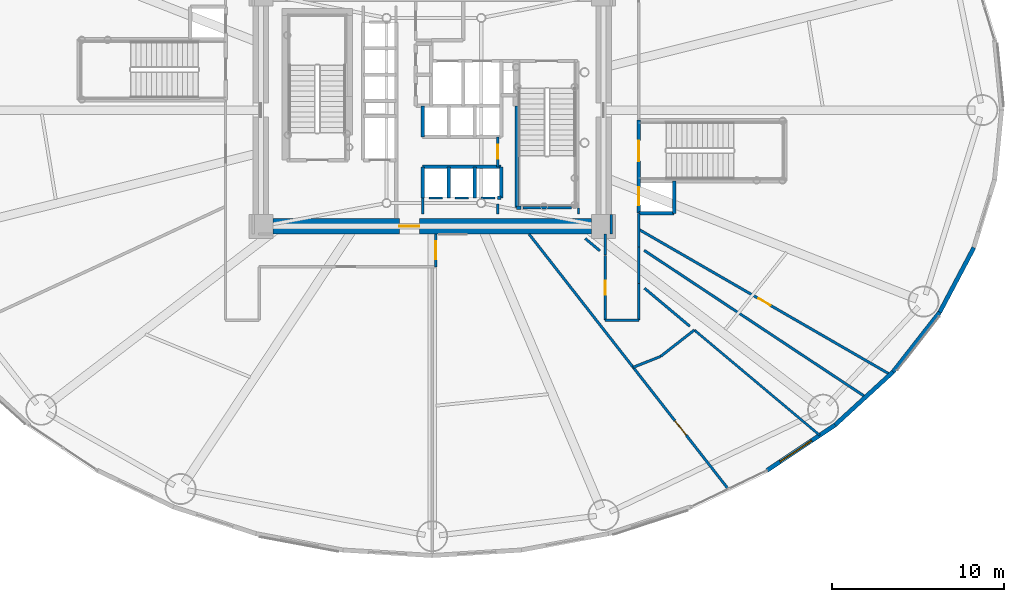
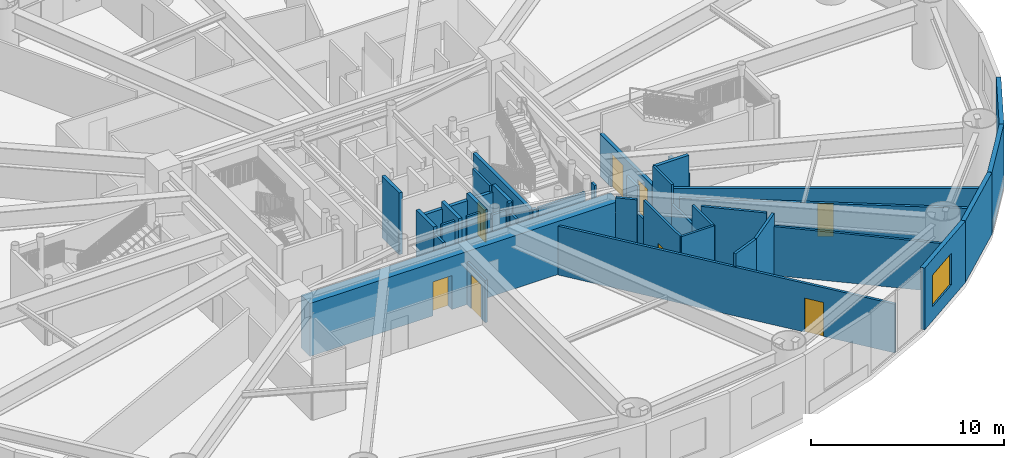
# One storey, part 14 of 27: 41 walls, 8 doors, 1 window, 9 openings.
"""IFC4 building model written with IfcOpenShell, lengths in metres."""

from ifc_helpers import new_model, si_unit, direction, frame, frame_2d, origin, origin_2d, place, context, subcontext, project, spatial, rectangle, extrude, source, transform, mapped, material, layer, layer_set, type_object, element, fill, save


model = new_model("IFC4")

# Units and contexts
model_context = context("Model", 3, precision=1e-05, world=origin(), true_north=direction((0.0, 1.0)))
body_context = subcontext(model_context, "Body", "Model", "MODEL_VIEW")
ifc_project = project(units=[si_unit("LENGTHUNIT", "METRE"), si_unit("AREAUNIT", "SQUARE_METRE"), si_unit("VOLUMEUNIT", "CUBIC_METRE"), si_unit("PLANEANGLEUNIT", "RADIAN"), si_unit("MASSUNIT", "GRAM", prefix="KILO")], contexts=[model_context])

# Site, building, storey
site_placement = place(None, origin())
site = spatial("IfcSite", under=ifc_project, at=site_placement, CompositionType="ELEMENT")
building_placement = place(site_placement, origin())
building = spatial("IfcBuilding", under=site, at=building_placement, Name="Linh Dai School and Residence Tower", CompositionType="ELEMENT")
storey_placement = place(building_placement, frame((0.0, 0.0, 22.800048828125)))
storey = spatial("IfcBuildingStorey", under=building, at=storey_placement, Name="L05", CompositionType="ELEMENT", Elevation=22.800048828125)

# Wall, opening, window
ifc_material_1 = material(Name="Precast Concrete B45 (C35/45)", Category="concrete")
ifc_layer_1 = layer(ifc_material_1, 0.25)
ifc_layer_set_1 = layer_set([ifc_layer_1], Name="Precast Concrete B45 (C35/45)")
wall_type_1 = type_object("IfcWallType", Name="EW-TC-250", PredefinedType="SOLIDWALL", material=ifc_layer_set_1)
wall_1_placement = place(storey_placement, frame((59.39892578125, 8.713623046875, 0.0), z_axis=(0.0, 0.0, 1.0), x_axis=(-0.831218664812, -0.555945618985, 0.0)))
wall_1 = element("IfcWall", 1, at=wall_1_placement, inside=storey, type_object=wall_type_1, Name="L05 Terracotta Exterior Wall 35", PredefinedType="SOLIDWALL", context=body_context, shape_type="SweptSolid", body=[
    extrude(rectangle(XDim=4.74755859375, YDim=0.25, at=frame_2d((2.373779296875, 0.0))), origin(), (0.0, 0.0, 1.0), 3.89990234375),
])
opening_1_placement = place(wall_1_placement, frame((1.635009765625, 0.0, 0.89990234375)))
opening_1 = element("IfcOpeningElement", 2, at=opening_1_placement, cuts=wall_1, Name="Opening W4", PredefinedType="OPENING", context=body_context, shape_type="SweptSolid", body=[
    extrude(rectangle(XDim=2.199951171875, YDim=2.0, at=origin_2d()), frame((1.10009765625, 0.135009765625, 1.0), z_axis=(0.0, -1.0, 0.0), x_axis=(1.0, 0.0, 0.0)), (0.0, 0.0, 1.0), 0.27001953125),
])
ifc_material_2 = material(Name="Acoustic Laminated Low-E Glazing", Category="glass")
window_type = type_object("IfcWindowType", Name="WN-SCH-2200x2000", PartitioningType="TRIPLE_PANEL_VERTICAL", PredefinedType="WINDOW", material=ifc_material_2)
shared_shape_1 = source(origin(), body_context, "Body", "SweptSolid", [
    extrude(rectangle(XDim=2.199951171875, YDim=2.0, at=origin_2d()), frame((1.10009765625, 0.030029296875, 1.0), z_axis=(0.0, -1.0, 0.0), x_axis=(1.0, 0.0, 0.0)), (0.0, 0.0, 1.0), 0.06005859375),
])
window_placement = place(opening_1_placement, origin())
window = element("IfcWindow", 3, at=window_placement, inside=storey, type_object=window_type, Name="L05 Exterior Window 35.1", OverallHeight=2.0, OverallWidth=2.199951171875, PartitioningType="TRIPLE_PANEL_VERTICAL", PredefinedType="WINDOW", context=body_context, shape_type="MappedRepresentation", body=[
    mapped(shared_shape_1, transform((0.0, 0.0, 0.0), x_axis=(1.0, 0.0, 0.0), y_axis=(0.0, 1.0, 0.0), z_axis=(0.0, 0.0, 1.0), scale=1.0)),
])
fill(opening_1, window)

# Walls
wall_2_placement = place(storey_placement, frame((62.767822265625, 11.802490234375, 0.0), z_axis=(0.0, 0.0, 1.0), x_axis=(-0.737076532105, -0.675809282136, 0.0)))
element("IfcWall", 4, at=wall_2_placement, inside=storey, type_object=wall_type_1, Name="L05 Terracotta Exterior Wall 36", PredefinedType="SOLIDWALL", context=body_context, shape_type="SweptSolid", body=[
    extrude(rectangle(XDim=4.570556640625, YDim=0.25, at=frame_2d((2.28515625, 0.0))), origin(), (0.0, 0.0, 1.0), 3.89990234375),
])
wall_3_placement = place(storey_placement, frame((65.4765625, 15.264404296875, 0.0), z_axis=(0.0, 0.0, 1.0), x_axis=(-0.61622589112, -0.787569457961, 0.0)))
element("IfcWall", 5, at=wall_3_placement, inside=storey, type_object=wall_type_1, Name="L05 Terracotta Exterior Wall 37", PredefinedType="SOLIDWALL", context=body_context, shape_type="SweptSolid", body=[
    extrude(rectangle(XDim=4.395751953125, YDim=0.25, at=frame_2d((2.19775390625, 0.0))), origin(), (0.0, 0.0, 1.0), 3.89990234375),
])
wall_4_placement = place(storey_placement, frame((67.459716796875, 19.013427734375, 0.0), z_axis=(0.0, 0.0, 1.0), x_axis=(-0.467588829866, -0.883946087827, 0.0)))
element("IfcWall", 6, at=wall_4_placement, inside=storey, type_object=wall_type_1, Name="L05 Terracotta Exterior Wall 38", PredefinedType="SOLIDWALL", context=body_context, shape_type="SweptSolid", body=[
    extrude(rectangle(XDim=4.2412109375, YDim=0.25, at=frame_2d((2.12060546875, 0.0))), origin(), (0.0, 0.0, 1.0), 3.89990234375),
])

# Wall, opening, door
ifc_material_3 = material(Name="Autoclaved Aerated Concrete Blockwork", Category="masonry")
ifc_layer_2 = layer(ifc_material_3, 0.135009765625)
ifc_layer_set_2 = layer_set([ifc_layer_2], Name="Autoclaved Aerated Concrete Blockwork")
wall_type_2 = type_object("IfcWallType", Name="IW-CORR-135-EI90", PredefinedType="PARTITIONING", material=ifc_layer_set_2)
wall_5_placement = place(storey_placement, frame((36.199951171875, 17.89990234375, 0.0), z_axis=(0.0, 0.0, 1.0), x_axis=(0.0, 1.0, 0.0)))
wall_5 = element("IfcWall", 7, at=wall_5_placement, inside=storey, type_object=wall_type_2, Name="L05 Interior Partition Wall 043", PredefinedType="PARTITIONING", context=body_context, shape_type="SweptSolid", body=[
    extrude(rectangle(XDim=1.900146484375, YDim=0.135009765625, at=frame_2d((0.9501953125, 0.0))), origin(), (0.0, 0.0, 1.0), 2.68505859375),
])
opening_2_placement = place(wall_5_placement, frame((0.425048828125, 0.0, 0.0)))
opening_2 = element("IfcOpeningElement", 8, at=opening_2_placement, cuts=wall_5, Name="Opening D04", PredefinedType="OPENING", context=body_context, shape_type="SweptSolid", body=[
    extrude(rectangle(XDim=1.050048828125, YDim=2.14990234375, at=origin_2d()), frame((0.52490234375, 0.07763671875, 1.074951171875), z_axis=(0.0, -1.0, 0.0), x_axis=(1.0, 0.0, 0.0)), (0.0, 0.0, 1.0), 0.155029296875),
])
ifc_material_4 = material(Name="Acoustic Vision-Panel Timber Classroom Door", Category="wood")
door_type_1 = type_object("IfcDoorType", Name="DR-SCH-1050x2150-FD60S", OperationType="NOTDEFINED", PredefinedType="DOOR", material=ifc_material_4)
shared_shape_2 = source(origin(), body_context, "Body", "SweptSolid", [
    extrude(rectangle(XDim=1.050048828125, YDim=2.14990234375, at=origin_2d()), frame((0.52490234375, 0.02490234375, 1.074951171875), z_axis=(0.0, -1.0, 0.0), x_axis=(1.0, 0.0, 0.0)), (0.0, 0.0, 1.0), 0.050048828125),
])
door_1_placement = place(opening_2_placement, origin())
door_1 = element("IfcDoor", 9, at=door_1_placement, inside=storey, type_object=door_type_1, Name="L05 Digital Media and Photography Classroom Door", OperationType="SINGLE_SWING_RIGHT", OverallHeight=2.14990234375, OverallWidth=1.050048828125, PredefinedType="DOOR", context=body_context, shape_type="MappedRepresentation", body=[
    mapped(shared_shape_2, transform((0.0, 0.0, 0.0), x_axis=(1.0, 0.0, 0.0), y_axis=(0.0, 1.0, 0.0), z_axis=(0.0, 0.0, 1.0), scale=1.0)),
])
fill(opening_2, door_1)

wall_6_placement = place(storey_placement, frame((39.800048828125, 23.699951171875, 0.0), z_axis=(0.0, 0.0, 1.0), x_axis=(0.0, 1.0, 0.0)))
wall_6 = element("IfcWall", 10, at=wall_6_placement, inside=storey, type_object=wall_type_2, Name="L05 Interior Partition Wall 051", PredefinedType="PARTITIONING", context=body_context, shape_type="SweptSolid", body=[
    extrude(rectangle(XDim=1.75, YDim=0.135009765625, at=frame_2d((0.875, 0.0))), origin(), (0.0, 0.0, 1.0), 3.89990234375),
])
opening_3_placement = place(wall_6_placement, frame((0.465087890625, 0.0, 0.0)))
opening_3 = element("IfcOpeningElement", 11, at=opening_3_placement, cuts=wall_6, Name="Opening D06", PredefinedType="OPENING", context=body_context, shape_type="SweptSolid", body=[
    extrude(rectangle(XDim=0.820068359375, YDim=2.10009765625, at=origin_2d()), frame((0.41015625, 0.07763671875, 1.050048828125), z_axis=(0.0, -1.0, 0.0), x_axis=(1.0, 0.0, 0.0)), (0.0, 0.0, 1.0), 0.155029296875),
])
ifc_material_5 = material(Name="Moisture-Resistant Timber Bathroom Door", Category="wood")
door_type_2 = type_object("IfcDoorType", Name="DR-WET-820x2100", OperationType="NOTDEFINED", PredefinedType="DOOR", material=ifc_material_5)
shared_shape_3 = source(origin(), body_context, "Body", "SweptSolid", [
    extrude(rectangle(XDim=0.820068359375, YDim=2.10009765625, at=origin_2d()), frame((0.41015625, 0.02490234375, 1.050048828125), z_axis=(0.0, -1.0, 0.0), x_axis=(1.0, 0.0, 0.0)), (0.0, 0.0, 1.0), 0.050048828125),
])
door_2_placement = place(opening_3_placement, origin())
door_2 = element("IfcDoor", 12, at=door_2_placement, inside=storey, type_object=door_type_2, Name="L05 East Linen Store Door", OperationType="SINGLE_SWING_LEFT", OverallHeight=2.10009765625, OverallWidth=0.820068359375, PredefinedType="DOOR", context=body_context, shape_type="MappedRepresentation", body=[
    mapped(shared_shape_3, transform((0.0, 0.0, 0.0), x_axis=(1.0, 0.0, 0.0), y_axis=(0.0, 1.0, 0.0), z_axis=(0.0, 0.0, 1.0), scale=1.0)),
])
fill(opening_3, door_2)

wall_7_placement = place(storey_placement, frame((46.050048828125, 14.800048828125, 0.0), z_axis=(0.0, 0.0, 1.0), x_axis=(0.0, 1.0, 0.0)))
wall_7 = element("IfcWall", 13, at=wall_7_placement, inside=storey, type_object=wall_type_2, Name="L05 Interior Partition Wall 060", PredefinedType="PARTITIONING", context=body_context, shape_type="SweptSolid", body=[
    extrude(rectangle(XDim=3.76708984375, YDim=0.135009765625, at=frame_2d((1.883544921875, 0.0))), origin(), (0.0, 0.0, 1.0), 3.89990234375),
])
opening_4_placement = place(wall_7_placement, frame((1.473388671875, 0.0, 0.0)))
opening_4 = element("IfcOpeningElement", 14, at=opening_4_placement, cuts=wall_7, Name="Opening D06", PredefinedType="OPENING", context=body_context, shape_type="SweptSolid", body=[
    extrude(rectangle(XDim=0.820068359375, YDim=2.10009765625, at=origin_2d()), frame((0.41015625, 0.07763671875, 1.050048828125), z_axis=(0.0, -1.0, 0.0), x_axis=(1.0, 0.0, 0.0)), (0.0, 0.0, 1.0), 0.155029296875),
])
door_3_placement = place(opening_4_placement, origin())
door_3 = element("IfcDoor", 15, at=door_3_placement, inside=storey, type_object=door_type_2, Name="L05 L05 Boys and Staff WC Door", OperationType="SINGLE_SWING_LEFT", OverallHeight=2.10009765625, OverallWidth=0.820068359375, PredefinedType="DOOR", context=body_context, shape_type="MappedRepresentation", body=[
    mapped(shared_shape_3, transform((0.0, 0.0, 0.0), x_axis=(1.0, 0.0, 0.0), y_axis=(0.0, 1.0, 0.0), z_axis=(0.0, 0.0, 1.0), scale=1.0)),
])
fill(opening_4, door_3)

# Walls
wall_8_placement = place(storey_placement, frame((46.050048828125, 14.800048828125, 0.0), z_axis=(0.0, 0.0, 1.0), x_axis=(1.0, 0.0, 0.0)))
element("IfcWall", 16, at=wall_8_placement, inside=storey, type_object=wall_type_2, Name="L05 Interior Partition Wall 061", PredefinedType="PARTITIONING", context=body_context, shape_type="SweptSolid", body=[
    extrude(rectangle(XDim=1.949951171875, YDim=0.135009765625, at=frame_2d((0.97509765625, 0.0))), origin(), (0.0, 0.0, 1.0), 3.89990234375),
])
wall_9_placement = place(storey_placement, frame((48.0, 14.800048828125, 0.0), z_axis=(0.0, 0.0, 1.0), x_axis=(0.0, 1.0, 0.0)))
element("IfcWall", 17, at=wall_9_placement, inside=storey, type_object=wall_type_2, Name="L05 Interior Partition Wall 063", PredefinedType="PARTITIONING", context=body_context, shape_type="SweptSolid", body=[
    extrude(rectangle(XDim=2.130859375, YDim=0.135009765625, at=frame_2d((1.0654296875, 0.0))), origin(), (0.0, 0.0, 1.0), 3.89990234375),
])
wall_10_placement = place(storey_placement, frame((48.0, 19.057373046875, 0.0), z_axis=(0.0, 0.0, 1.0), x_axis=(0.0, 1.0, 0.0)))
element("IfcWall", 18, at=wall_10_placement, inside=storey, type_object=wall_type_2, Name="L05 Interior Partition Wall 064", PredefinedType="PARTITIONING", context=body_context, shape_type="SweptSolid", body=[
    extrude(rectangle(XDim=1.942626953125, YDim=0.135009765625, at=frame_2d((0.97119140625, 0.0))), origin(), (0.0, 0.0, 1.0), 3.89990234375),
])
wall_11_placement = place(storey_placement, frame((44.080078125, 21.330078125, 0.0), z_axis=(0.0, 0.0, 1.0), x_axis=(-1.0, 0.0, 0.0)))
element("IfcWall", 19, at=wall_11_placement, inside=storey, type_object=wall_type_2, Name="L05 Interior Partition Wall 074", PredefinedType="PARTITIONING", context=body_context, shape_type="SweptSolid", body=[
    extrude(rectangle(XDim=2.820068359375, YDim=0.135009765625, at=frame_2d((1.41015625, 0.0))), origin(), (0.0, 0.0, 1.0), 3.43505859375),
])
wall_12_placement = place(storey_placement, frame((36.60009765625, 21.89990234375, 0.0), z_axis=(0.0, 0.0, 1.0), x_axis=(-1.0, 0.0, 0.0)))
element("IfcWall", 20, at=wall_12_placement, inside=storey, type_object=wall_type_2, Name="L05 Interior Partition Wall 075", PredefinedType="PARTITIONING", context=body_context, shape_type="SweptSolid", body=[
    extrude(rectangle(XDim=0.7900390625, YDim=0.135009765625, at=frame_2d((0.39501953125, 0.0))), origin(), (0.0, 0.0, 1.0), 3.89990234375),
])
wall_13_placement = place(storey_placement, frame((38.1201171875, 21.89990234375, 0.0), z_axis=(0.0, 0.0, 1.0), x_axis=(-1.0, 0.0, 0.0)))
element("IfcWall", 21, at=wall_13_placement, inside=storey, type_object=wall_type_2, Name="L05 Interior Partition Wall 076", PredefinedType="PARTITIONING", context=body_context, shape_type="SweptSolid", body=[
    extrude(rectangle(XDim=0.800048828125, YDim=0.135009765625, at=frame_2d((0.39990234375, 0.0))), origin(), (0.0, 0.0, 1.0), 3.89990234375),
])
wall_14_placement = place(storey_placement, frame((39.639892578125, 21.89990234375, 0.0), z_axis=(0.0, 0.0, 1.0), x_axis=(-1.0, 0.0, 0.0)))
element("IfcWall", 22, at=wall_14_placement, inside=storey, type_object=wall_type_2, Name="L05 Interior Partition Wall 077", PredefinedType="PARTITIONING", context=body_context, shape_type="SweptSolid", body=[
    extrude(rectangle(XDim=0.7998046875, YDim=0.135009765625, at=frame_2d((0.39990234375, 0.0))), origin(), (0.0, 0.0, 1.0), 3.48486328125),
])
wall_15_placement = place(storey_placement, frame((39.800048828125, 20.9599609375, 0.0), z_axis=(0.0, 0.0, 1.0), x_axis=(0.0, 1.0, 0.0)))
element("IfcWall", 23, at=wall_15_placement, inside=storey, type_object=wall_type_2, Name="L05 Interior Partition Wall 079", PredefinedType="PARTITIONING", context=body_context, shape_type="SweptSolid", body=[
    extrude(rectangle(XDim=0.580078125, YDim=0.135009765625, at=frame_2d((0.2900390625, 0.0))), origin(), (0.0, 0.0, 1.0), 3.43505859375),
])
wall_16_placement = place(storey_placement, frame((44.5, 20.9599609375, 0.0), z_axis=(0.0, 0.0, 1.0), x_axis=(0.0, 1.0, 0.0)))
element("IfcWall", 24, at=wall_16_placement, inside=storey, type_object=wall_type_2, Name="L05 Interior Partition Wall 081", PredefinedType="PARTITIONING", context=body_context, shape_type="SweptSolid", body=[
    extrude(rectangle(XDim=0.360107421875, YDim=0.135009765625, at=frame_2d((0.18017578125, 0.0))), origin(), (0.0, 0.0, 1.0), 3.89990234375),
])
wall_17_placement = place(storey_placement, frame((35.449951171875, 21.889892578125, 0.0), z_axis=(0.0, 0.0, 1.0), x_axis=(0.0, -1.0, 0.0)))
element("IfcWall", 25, at=wall_17_placement, inside=storey, type_object=wall_type_2, Name="L05 Interior Partition Wall 082", PredefinedType="PARTITIONING", context=body_context, shape_type="SweptSolid", body=[
    extrude(rectangle(XDim=0.929931640625, YDim=0.135009765625, at=frame_2d((0.46484375, 0.0))), origin(), (0.0, 0.0, 1.0), 3.48486328125),
])
wall_18_placement = place(storey_placement, frame((48.0, 19.04736328125, 0.0), z_axis=(0.0, 0.0, 1.0), x_axis=(0.0, -1.0, 0.0)))
element("IfcWall", 26, at=wall_18_placement, inside=storey, type_object=wall_type_2, Name="L05 Interior Partition Wall 084", PredefinedType="PARTITIONING", context=body_context, shape_type="SweptSolid", body=[
    extrude(rectangle(XDim=2.1064453125, YDim=0.135009765625, at=frame_2d((1.05322265625, 0.0))), origin(), (0.0, 0.0, 1.0), 2.68505859375),
])
wall_19_placement = place(storey_placement, frame((46.050048828125, 18.5771484375, 0.0), z_axis=(0.0, 0.0, 1.0), x_axis=(0.0, 1.0, 0.0)))
element("IfcWall", 27, at=wall_19_placement, inside=storey, type_object=wall_type_2, Name="L05 Interior Partition Wall 085", PredefinedType="PARTITIONING", context=body_context, shape_type="SweptSolid", body=[
    extrude(rectangle(XDim=1.222900390625, YDim=0.135009765625, at=frame_2d((0.611328125, 0.0))), origin(), (0.0, 0.0, 1.0), 2.68505859375),
])
wall_20_placement = place(storey_placement, frame((46.39990234375, 19.800048828125, 0.0), z_axis=(0.0, 0.0, 1.0), x_axis=(0.0, 1.0, 0.0)))
element("IfcWall", 28, at=wall_20_placement, inside=storey, type_object=wall_type_2, Name="L05 Interior Partition Wall 086", PredefinedType="PARTITIONING", context=body_context, shape_type="SweptSolid", body=[
    extrude(rectangle(XDim=1.139892578125, YDim=0.135009765625, at=frame_2d((0.56982421875, 0.0))), origin(), (0.0, 0.0, 1.0), 3.89990234375),
])
wall_21_placement = place(storey_placement, frame((51.22314453125, 14.226318359375, 0.0), z_axis=(0.0, 0.0, 1.0), x_axis=(0.766045572971, -0.642786263179, 0.0)))
element("IfcWall", 29, at=wall_21_placement, inside=storey, type_object=wall_type_2, Name="L05 Interior Partition Wall 103", PredefinedType="PARTITIONING", context=body_context, shape_type="SweptSolid", body=[
    extrude(rectangle(XDim=9.511474609375, YDim=0.135009765625, at=frame_2d((4.755859375, 0.0))), origin(), (0.0, 0.0, 1.0), 3.0849609375),
])

# Wall, opening, door
ifc_layer_3 = layer(ifc_material_3, 0.14990234375)
ifc_layer_set_3 = layer_set([ifc_layer_3], Name="Autoclaved Aerated Concrete Blockwork")
wall_type_3 = type_object("IfcWallType", Name="IW-SCH-150-EI60", PredefinedType="PARTITIONING", material=ifc_layer_set_3)
wall_22_placement = place(storey_placement, frame((41.625244140625, 19.800048828125, 0.0), z_axis=(0.0, 0.0, 1.0), x_axis=(0.615657399511, -0.788013937965, 0.0)))
wall_22 = element("IfcWall", 30, at=wall_22_placement, inside=storey, type_object=wall_type_3, Name="L05 Interior Partition Wall 058", PredefinedType="PARTITIONING", context=body_context, shape_type="SweptSolid", body=[
    extrude(rectangle(XDim=18.798095703125, YDim=0.14990234375, at=frame_2d((9.39892578125, 0.0))), origin(), (0.0, 0.0, 1.0), 3.0849609375),
])
opening_5_placement = place(wall_22_placement, frame((13.765380859375, 0.0, 0.0)))
opening_5 = element("IfcOpeningElement", 31, at=opening_5_placement, cuts=wall_22, Name="Opening D04", PredefinedType="OPENING", context=body_context, shape_type="SweptSolid", body=[
    extrude(rectangle(XDim=1.050048828125, YDim=2.14990234375, at=origin_2d()), frame((0.52490234375, 0.0849609375, 1.074951171875), z_axis=(0.0, -1.0, 0.0), x_axis=(1.0, 0.0, 0.0)), (0.0, 0.0, 1.0), 0.169921875),
])
door_4_placement = place(opening_5_placement, origin())
door_4 = element("IfcDoor", 32, at=door_4_placement, inside=storey, type_object=door_type_1, Name="L05 Resource Study Room BWC Door", OperationType="SINGLE_SWING_RIGHT", OverallHeight=2.14990234375, OverallWidth=1.050048828125, PredefinedType="DOOR", context=body_context, shape_type="MappedRepresentation", body=[
    mapped(shared_shape_2, transform((0.0, 0.0, 0.0), x_axis=(1.0, 0.0, 0.0), y_axis=(0.0, 1.0, 0.0), z_axis=(0.0, 0.0, 1.0), scale=1.0)),
])
fill(opening_5, door_4)

# Wall
wall_23_placement = place(storey_placement, frame((47.6728515625, 12.059326171875, 0.0), z_axis=(0.0, 0.0, 1.0), x_axis=(0.928789728794, 0.370607123093, 0.0)))
element("IfcWall", 33, at=wall_23_placement, inside=storey, type_object=wall_type_3, Name="L05 Interior Partition Wall 062", PredefinedType="PARTITIONING", context=body_context, shape_type="SweptSolid", body=[
    extrude(rectangle(XDim=1.71923828125, YDim=0.14990234375, at=frame_2d((0.859619140625, 0.0))), origin(), (0.0, 0.0, 1.0), 3.89990234375),
])

# Wall, opening, door
wall_24_placement = place(storey_placement, frame((48.0, 20.07177734375, 0.0), z_axis=(0.0, 0.0, 1.0), x_axis=(0.866027147936, -0.499996979028, 0.0)))
wall_24 = element("IfcWall", 34, at=wall_24_placement, inside=storey, type_object=wall_type_3, Name="L05 Interior Partition Wall 065", PredefinedType="PARTITIONING", context=body_context, shape_type="SweptSolid", body=[
    extrude(rectangle(XDim=16.85888671875, YDim=0.14990234375, at=frame_2d((8.429443359375, 0.0))), origin(), (0.0, 0.0, 1.0), 3.0849609375),
])
opening_6_placement = place(wall_24_placement, frame((8.01953125, 0.0, 0.0)))
opening_6 = element("IfcOpeningElement", 35, at=opening_6_placement, cuts=wall_24, Name="Opening D06", PredefinedType="OPENING", context=body_context, shape_type="SweptSolid", body=[
    extrude(rectangle(XDim=0.820068359375, YDim=2.10009765625, at=origin_2d()), frame((0.41015625, 0.0849609375, 1.050048828125), z_axis=(0.0, -1.0, 0.0), x_axis=(1.0, 0.0, 0.0)), (0.0, 0.0, 1.0), 0.169921875),
])
door_5_placement = place(opening_6_placement, origin())
door_5 = element("IfcDoor", 36, at=door_5_placement, inside=storey, type_object=door_type_2, Name="L05 L05 Accessible Sports WC Door", OperationType="SINGLE_SWING_LEFT", OverallHeight=2.10009765625, OverallWidth=0.820068359375, PredefinedType="DOOR", context=body_context, shape_type="MappedRepresentation", body=[
    mapped(shared_shape_3, transform((0.0, 0.0, 0.0), x_axis=(1.0, 0.0, 0.0), y_axis=(0.0, 1.0, 0.0), z_axis=(0.0, 0.0, 1.0), scale=1.0)),
])
fill(opening_6, door_5)

# Walls
wall_25_placement = place(storey_placement, frame((49.269775390625, 12.696533203125, 0.0), z_axis=(0.0, 0.0, 1.0), x_axis=(0.787297312988, 0.616573548704, 0.0)))
element("IfcWall", 37, at=wall_25_placement, inside=storey, type_object=wall_type_3, Name="L05 Interior Partition Wall 071", PredefinedType="PARTITIONING", context=body_context, shape_type="SweptSolid", body=[
    extrude(rectangle(XDim=2.481201171875, YDim=0.14990234375, at=frame_2d((1.24072265625, 0.0))), origin(), (0.0, 0.0, 1.0), 3.89990234375),
])
wall_26_placement = place(storey_placement, frame((44.890380859375, 19.5400390625, 0.0), z_axis=(0.0, 0.0, 1.0), x_axis=(0.76598583339, -0.642857451576, 0.0)))
element("IfcWall", 38, at=wall_26_placement, inside=storey, type_object=wall_type_3, Name="L05 Interior Partition Wall 101", PredefinedType="PARTITIONING", context=body_context, shape_type="SweptSolid", body=[
    extrude(rectangle(XDim=1.1123046875, YDim=0.14990234375, at=frame_2d((0.55615234375, 0.0))), origin(), (0.0, 0.0, 1.0), 3.89990234375),
])
wall_27_placement = place(storey_placement, frame((48.327392578125, 16.656005859375, 0.0), z_axis=(0.0, 0.0, 1.0), x_axis=(0.766057301784, -0.642772285014, 0.0)))
element("IfcWall", 39, at=wall_27_placement, inside=storey, type_object=wall_type_3, Name="L05 Interior Partition Wall 102", PredefinedType="PARTITIONING", context=body_context, shape_type="SweptSolid", body=[
    extrude(rectangle(XDim=3.437744140625, YDim=0.14990234375, at=frame_2d((1.71875, 0.0))), origin(), (0.0, 0.0, 1.0), 3.89990234375),
])
wall_28_placement = place(storey_placement, frame((61.176025390625, 10.33642578125, 0.0), z_axis=(0.0, 0.0, 1.0), x_axis=(-0.833888196147, 0.551933398452, 0.0)))
element("IfcWall", 40, at=wall_28_placement, inside=storey, type_object=wall_type_3, Name="L05 Interior Partition Wall 104", PredefinedType="PARTITIONING", context=body_context, shape_type="SweptSolid", body=[
    extrude(rectangle(XDim=15.431884765625, YDim=0.14990234375, at=frame_2d((7.7158203125, 0.0))), origin(), (0.0, 0.0, 1.0), 3.0849609375),
])
ifc_material_6 = material(Name="Concrete B45 (C35/45)", Category="concrete")
ifc_layer_4 = layer(ifc_material_6, 0.199951171875)
ifc_layer_set_4 = layer_set([ifc_layer_4], Name="Concrete B45 (C35/45)")
wall_type_4 = type_object("IfcWallType", Name="IW-SHAFT-200-EI120", PredefinedType="PARTITIONING", material=ifc_layer_set_4)
wall_29_placement = place(storey_placement, frame((35.449951171875, 21.89990234375, 0.0), z_axis=(0.0, 0.0, 1.0), x_axis=(0.0, 1.0, 0.0)))
element("IfcWall", 41, at=wall_29_placement, inside=storey, type_object=wall_type_4, Name="L05 Interior Partition Wall 034", PredefinedType="PARTITIONING", context=body_context, shape_type="SweptSolid", body=[
    extrude(rectangle(XDim=1.800048828125, YDim=0.199951171875, at=frame_2d((0.89990234375, 0.0))), origin(), (0.0, 0.0, 1.0), 3.89990234375),
])
wall_30_placement = place(storey_placement, frame((35.449951171875, 23.699951171875, 0.0), z_axis=(0.0, 0.0, 1.0), x_axis=(1.0, 0.0, 0.0)))
element("IfcWall", 42, at=wall_30_placement, inside=storey, type_object=wall_type_4, Name="L05 Interior Partition Wall 035", PredefinedType="PARTITIONING", context=body_context, shape_type="SweptSolid", body=[
    extrude(rectangle(XDim=4.550048828125, YDim=0.199951171875, at=frame_2d((2.27490234375, 0.0))), origin(), (0.0, 0.0, 1.0), 3.48486328125),
])
for number, where, z_axis, x_axis, name in (
    (43, (35.449951171875, 25.449951171875, 0.0), (0.0, 0.0, 1.0), (0.0, 1.0, 0.0), "L05 Interior Partition Wall 036"),
    (44, (36.9599609375, 21.89990234375, 0.0), (0.0, 0.0, 1.0), (0.0, 1.0, 0.0), "L05 Interior Partition Wall 044"),
    (45, (38.47998046875, 21.89990234375, 0.0), (0.0, 0.0, 1.0), (0.0, 1.0, 0.0), "L05 Interior Partition Wall 048"),
):
    element("IfcWall", number, at=place(storey_placement, frame(where, z_axis=z_axis, x_axis=x_axis)), inside=storey, type_object=wall_type_4, Name=name, PredefinedType="PARTITIONING", context=body_context, shape_type="SweptSolid", body=[
        extrude(rectangle(XDim=1.800048828125, YDim=0.199951171875, at=frame_2d((0.89990234375, 0.0))), origin(), (0.0, 0.0, 1.0), 3.89990234375),
    ])
wall_31_placement = place(storey_placement, frame((39.800048828125, 21.89990234375, 0.0), z_axis=(0.0, 0.0, 1.0), x_axis=(1.0, 0.0, 0.0)))
element("IfcWall", 46, at=wall_31_placement, inside=storey, type_object=wall_type_4, Name="L05 Interior Partition Wall 050", PredefinedType="PARTITIONING", context=body_context, shape_type="SweptSolid", body=[
    extrude(rectangle(XDim=0.199951171875, YDim=0.199951171875, at=frame_2d((0.10009765625, 0.0))), origin(), (0.0, 0.0, 1.0), 3.89990234375),
])
wall_32_placement = place(storey_placement, frame((40.0, 21.89990234375, 0.0), z_axis=(0.0, 0.0, 1.0), x_axis=(0.0, 1.0, 0.0)))
element("IfcWall", 47, at=wall_32_placement, inside=storey, type_object=wall_type_4, Name="L05 Interior Partition Wall 053", PredefinedType="PARTITIONING", context=body_context, shape_type="SweptSolid", body=[
    extrude(rectangle(XDim=1.800048828125, YDim=0.199951171875, at=frame_2d((0.89990234375, 0.0))), origin(), (0.0, 0.0, 1.0), 3.89990234375),
])
wall_33_placement = place(storey_placement, frame((40.89990234375, 21.330078125, 0.0), z_axis=(0.0, 0.0, 1.0), x_axis=(0.0, 1.0, 0.0)))
element("IfcWall", 48, at=wall_33_placement, inside=storey, type_object=wall_type_4, Name="L05 Interior Partition Wall 056", PredefinedType="PARTITIONING", context=body_context, shape_type="SweptSolid", body=[
    extrude(rectangle(XDim=5.909912109375, YDim=0.199951171875, at=frame_2d((2.955078125, 0.0))), origin(), (0.0, 0.0, 1.0), 3.43505859375),
])
wall_34_placement = place(storey_placement, frame((40.89990234375, 21.330078125, 0.0), z_axis=(0.0, 0.0, 1.0), x_axis=(1.0, 0.0, 0.0)))
element("IfcWall", 49, at=wall_34_placement, inside=storey, type_object=wall_type_4, Name="L05 Interior Partition Wall 057", PredefinedType="PARTITIONING", context=body_context, shape_type="SweptSolid", body=[
    extrude(rectangle(XDim=0.25, YDim=0.199951171875, at=frame_2d((0.125, 0.0))), origin(), (0.0, 0.0, 1.0), 3.43505859375),
])

# Wall, openings, doors
wall_35_placement = place(storey_placement, frame((48.0, 21.010009765625, 0.0), z_axis=(0.0, 0.0, 1.0), x_axis=(0.0, 1.0, 0.0)))
wall_35 = element("IfcWall", 50, at=wall_35_placement, inside=storey, type_object=wall_type_4, Name="L05 Interior Partition Wall 066", PredefinedType="PARTITIONING", context=body_context, shape_type="SweptSolid", body=[
    extrude(rectangle(XDim=5.409912109375, YDim=0.199951171875, at=frame_2d((2.705078125, 0.0))), origin(), (0.0, 0.0, 1.0), 2.68505859375),
])
opening_7_placement = place(wall_35_placement, frame((3.02001953125, 0.0, 0.0)))
opening_7 = element("IfcOpeningElement", 51, at=opening_7_placement, cuts=wall_35, Name="Opening D01", PredefinedType="OPENING", context=body_context, shape_type="SweptSolid", body=[
    extrude(rectangle(XDim=1.199951171875, YDim=2.14990234375, at=origin_2d()), frame((0.60009765625, 0.10986328125, 1.074951171875), z_axis=(0.0, -1.0, 0.0), x_axis=(1.0, 0.0, 0.0)), (0.0, 0.0, 1.0), 0.219970703125),
])
opening_8_placement = place(wall_35_placement, frame((0.465087890625, 0.0, 0.0)))
opening_8 = element("IfcOpeningElement", 52, at=opening_8_placement, cuts=wall_35, Name="Opening LD-SL2", PredefinedType="OPENING", context=body_context, shape_type="SweptSolid", body=[
    extrude(rectangle(XDim=1.050048828125, YDim=2.14990234375, at=origin_2d()), frame((0.52490234375, 0.10986328125, 1.074951171875), z_axis=(0.0, -1.0, 0.0), x_axis=(1.0, 0.0, 0.0)), (0.0, 0.0, 1.0), 0.219970703125),
])
ifc_material_7 = material(Name="Fire-Rated Steel Door Leaf", Category="steel")
door_type_3 = type_object("IfcDoorType", Name="DR-STAIR-1200x2150-FD90S", OperationType="NOTDEFINED", PredefinedType="DOOR", material=ifc_material_7)
shared_shape_4 = source(origin(), body_context, "Body", "SweptSolid", [
    extrude(rectangle(XDim=1.199951171875, YDim=2.14990234375, at=origin_2d()), frame((0.60009765625, 0.02490234375, 1.074951171875), z_axis=(0.0, -1.0, 0.0), x_axis=(1.0, 0.0, 0.0)), (0.0, 0.0, 1.0), 0.050048828125),
])
door_6_placement = place(opening_7_placement, origin())
door_6 = element("IfcDoor", 53, at=door_6_placement, inside=storey, type_object=door_type_3, Name="L05 Exit Stair STS2 Door", OperationType="SINGLE_SWING_LEFT", OverallHeight=2.14990234375, OverallWidth=1.199951171875, PredefinedType="DOOR", context=body_context, shape_type="MappedRepresentation", body=[
    mapped(shared_shape_4, transform((0.0, 0.0, 0.0), x_axis=(1.0, 0.0, 0.0), y_axis=(0.0, 1.0, 0.0), z_axis=(0.0, 0.0, 1.0), scale=1.0)),
])
fill(opening_7, door_6)
ifc_material_8 = material(Name="Brushed Stainless Steel Lift Landing Door", Category="steel")
door_type_4 = type_object("IfcDoorType", Name="DR-LD-PASS-1050x2150", OperationType="DOUBLE_DOOR_SLIDING", PredefinedType="USERDEFINED", material=ifc_material_8)
shared_shape_5 = source(origin(), body_context, "Body", "SweptSolid", [
    extrude(rectangle(XDim=1.050048828125, YDim=2.14990234375, at=origin_2d()), frame((0.52490234375, 0.02490234375, 1.074951171875), z_axis=(0.0, -1.0, 0.0), x_axis=(1.0, 0.0, 0.0)), (0.0, 0.0, 1.0), 0.050048828125),
])
door_7_placement = place(opening_8_placement, origin())
door_7 = element("IfcDoor", 54, at=door_7_placement, inside=storey, type_object=door_type_4, Name="L05 Lift SL2 Sliding Landing Door", ObjectType="LANDING DOOR", OperationType="DOUBLE_DOOR_SLIDING", OverallHeight=2.14990234375, OverallWidth=1.050048828125, PredefinedType="USERDEFINED", context=body_context, shape_type="MappedRepresentation", body=[
    mapped(shared_shape_5, transform((0.0, 0.0, 0.0), x_axis=(1.0, 0.0, 0.0), y_axis=(0.0, 1.0, 0.0), z_axis=(0.0, 0.0, 1.0), scale=1.0)),
])
fill(opening_8, door_7)

# Walls
wall_36_placement = place(storey_placement, frame((48.0, 21.0, 0.0), z_axis=(0.0, 0.0, 1.0), x_axis=(1.0, 0.0, 0.0)))
element("IfcWall", 55, at=wall_36_placement, inside=storey, type_object=wall_type_4, Name="L05 Interior Partition Wall 067", PredefinedType="PARTITIONING", context=body_context, shape_type="SweptSolid", body=[
    extrude(rectangle(XDim=2.050048828125, YDim=0.199951171875, at=frame_2d((1.02490234375, 0.0))), origin(), (0.0, 0.0, 1.0), 3.89990234375),
])
wall_37_placement = place(storey_placement, frame((50.050048828125, 21.0, 0.0), z_axis=(0.0, 0.0, 1.0), x_axis=(0.0, 1.0, 0.0)))
element("IfcWall", 56, at=wall_37_placement, inside=storey, type_object=wall_type_4, Name="L05 Interior Partition Wall 072", PredefinedType="PARTITIONING", context=body_context, shape_type="SweptSolid", body=[
    extrude(rectangle(XDim=1.8798828125, YDim=0.199951171875, at=frame_2d((0.93994140625, 0.0))), origin(), (0.0, 0.0, 1.0), 2.68505859375),
])

# Wall, opening, door
ifc_material_9 = material(Name="Concrete B60 (C50/60)", Category="concrete")
ifc_layer_5 = layer(ifc_material_9, 0.89990234375)
ifc_layer_set_5 = layer_set([ifc_layer_5], Name="Concrete B60 (C50/60)")
wall_type_5 = type_object("IfcWallType", Name="WL-CORE900", PredefinedType="SHEAR", material=ifc_layer_set_5)
wall_38_placement = place(storey_placement, frame((45.25, 20.25, 0.0), z_axis=(0.0, 0.0, 1.0), x_axis=(-1.0, 0.0, 0.0)))
wall_38 = element("IfcWall", 57, at=wall_38_placement, inside=storey, type_object=wall_type_5, Name="L05 Central Core Shear Wall S", PredefinedType="SHEAR", context=body_context, shape_type="SweptSolid", body=[
    extrude(rectangle(XDim=18.5, YDim=0.89990234375, at=frame_2d((9.25, 0.0))), origin(), (0.0, 0.0, 1.0), 3.349853515625),
])
opening_9_placement = place(wall_38_placement, frame((10.0, 0.0, 0.0)))
opening_9 = element("IfcOpeningElement", 58, at=opening_9_placement, cuts=wall_38, Name="Opening D02", PredefinedType="OPENING", context=body_context, shape_type="SweptSolid", body=[
    extrude(rectangle(XDim=1.14990234375, YDim=2.14990234375, at=origin_2d()), frame((0.574951171875, 0.4599609375, 1.074951171875), z_axis=(0.0, -1.0, 0.0), x_axis=(1.0, 0.0, 0.0)), (0.0, 0.0, 1.0), 0.919921875),
])
ifc_material_10 = material(Name="Fire-Rated Glazed Steel Lobby Door", Category="steel")
door_type_5 = type_object("IfcDoorType", Name="DR-LOBBY-1150x2150-FD90S", OperationType="NOTDEFINED", PredefinedType="DOOR", material=ifc_material_10)
shared_shape_6 = source(origin(), body_context, "Body", "SweptSolid", [
    extrude(rectangle(XDim=1.14990234375, YDim=2.14990234375, at=origin_2d()), frame((0.574951171875, 0.02490234375, 1.074951171875), z_axis=(0.0, -1.0, 0.0), x_axis=(1.0, 0.0, 0.0)), (0.0, 0.0, 1.0), 0.050048828125),
])
door_8_placement = place(opening_9_placement, origin())
door_8 = element("IfcDoor", 59, at=door_8_placement, inside=storey, type_object=door_type_5, Name="L05 Passenger Foyer Access Door", OperationType="SINGLE_SWING_LEFT", OverallHeight=2.14990234375, OverallWidth=1.14990234375, PredefinedType="DOOR", context=body_context, shape_type="MappedRepresentation", body=[
    mapped(shared_shape_6, transform((0.0, 0.0, 0.0), x_axis=(1.0, 0.0, 0.0), y_axis=(0.0, 1.0, 0.0), z_axis=(0.0, 0.0, 1.0), scale=1.0)),
])
fill(opening_9, door_8)

save(model, "model.ifc")
